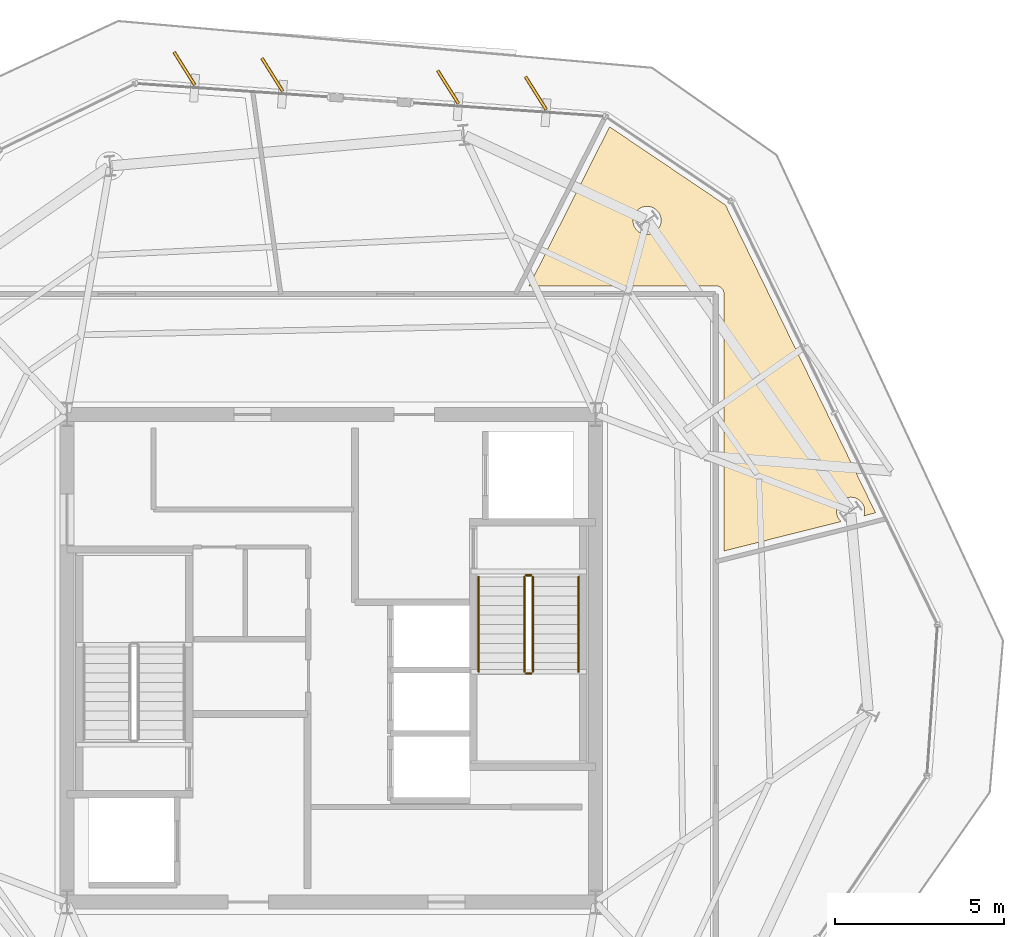
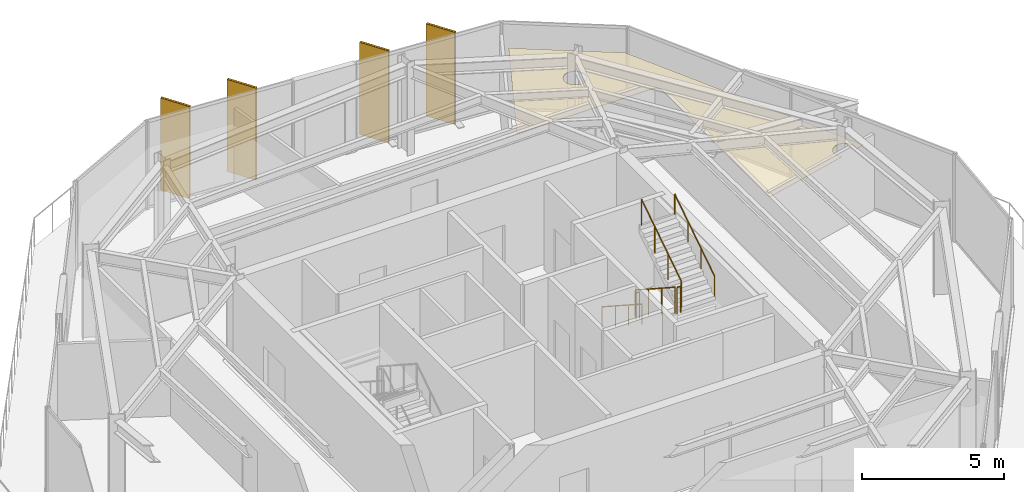
# One storey, part 12 of 12: 6 railings, 5 coverings, 4 shading devices.
"""IFC4 building model written with IfcOpenShell, lengths in metres."""

from ifc_helpers import new_model, si_unit, direction, frame, origin, origin_2d, place, context, subcontext, project, spatial, polyline, rectangle, circle, outline, extrude, material, layer, layer_set, type_object, element, save


model = new_model("IFC4")

# Units and contexts
model_context = context("Model", 3, precision=1e-05, world=origin(), true_north=direction((0.0, 1.0)))
body_context = subcontext(model_context, "Body", "Model", "MODEL_VIEW")
ifc_project = project(units=[si_unit("LENGTHUNIT", "METRE"), si_unit("AREAUNIT", "SQUARE_METRE"), si_unit("VOLUMEUNIT", "CUBIC_METRE"), si_unit("PLANEANGLEUNIT", "RADIAN"), si_unit("MASSUNIT", "GRAM", prefix="KILO")], contexts=[model_context])

# Site, building, storey
site_placement = place(None, origin())
site = spatial("IfcSite", under=ifc_project, at=site_placement, CompositionType="ELEMENT")
building_placement = place(site_placement, origin())
building = spatial("IfcBuilding", under=site, at=building_placement, Name="Kranzbogen Civic Tower", CompositionType="ELEMENT")
storey_placement = place(building_placement, frame((0.0, 0.0, 250.199951171875)))
storey = spatial("IfcBuildingStorey", under=building, at=storey_placement, Name="L60", CompositionType="ELEMENT", Elevation=250.199951171875)

# Coverings
ifc_material_1 = material(Name="Pale Anodised Aluminium", Category="aluminium")
ifc_layer_1 = layer(ifc_material_1, 0.02490234375, Name="Pale Anodised Aluminium")
ifc_layer_set_1 = layer_set([ifc_layer_1], Name="Pale Anodised Aluminium")
covering_type_1 = type_object("IfcCoveringType", Name="Anodised Aluminium Vertical Fin Cladding 25 mm", PredefinedType="CLADDING", material=ifc_layer_set_1)
for number, where, z_axis, x_axis, name in (
    (1, (31.0390625, 41.68408203125, -0.139892578125), (0.0, 0.0, 1.0), (-0.532344492073, 0.846527815113, 0.0), "L60 vertical fin pale-metal cladding F1-1"),
    (2, (28.446044921875, 41.864990234375, -0.139892578125), (0.0, 0.0, 1.0), (-0.532344492073, 0.846527815113, 0.0), "L60 vertical fin pale-metal cladding F1-2"),
    (3, (23.258056640625, 42.22802734375, -0.139892578125), (0.0, 0.0, 1.0), (-0.532344492073, 0.846527815113, 0.0), "L60 vertical fin pale-metal cladding F1-4"),
    (4, (20.6650390625, 42.408935546875, -0.139892578125), (0.0, 0.0, 1.0), (-0.532344492073, 0.846527815113, 0.0), "L60 vertical fin pale-metal cladding F1-5"),
):
    element("IfcCovering", number, at=place(storey_placement, frame(where, z_axis=z_axis, x_axis=x_axis)), inside=storey, type_object=covering_type_1, Name=name, PredefinedType="CLADDING", context=body_context, shape_type="SweptSolid", body=[
        extrude(rectangle(XDim=1.14990234375, YDim=0.094970703125, at=origin_2d()), origin(), (0.0, 0.0, 1.0), 3.9599609375),
    ])

# Railings
ifc_material_2 = material(Name="Steel S355", Category="steel")
railing_type_1 = type_object("IfcRailingType", Name="Internal Stair and Void Steel Guardrail 1150", PredefinedType="GUARDRAIL", material=ifc_material_2)
railing_1_placement = place(storey_placement, frame((30.699951171875, 27.39990234375, 0.181884765625)))
element("IfcRailing", 5, at=railing_1_placement, inside=storey, type_object=railing_type_1, Name="L60 ST-T2 stair guard 1", PredefinedType="GUARDRAIL", context=body_context, shape_type="SweptSolid", body=[
    extrude(circle(Radius=0.02392578125, at=origin_2d()), frame((0.0, 0.0, 1.1259765625), z_axis=(0.0, -0.83868413941, 0.544618136222), x_axis=(1.0, 0.0, 0.0)), (0.0, 0.0, 1.0), 3.33837890625),
    extrude(circle(Radius=0.02099609375, at=origin_2d()), origin(), (0.0, 0.0, 1.0), 1.101806640625),
    extrude(circle(Radius=0.02099609375, at=origin_2d()), frame((0.0, -0.933349609375, 0.60595703125)), (0.0, 0.0, 1.0), 1.101806640625),
    extrude(circle(Radius=0.02099609375, at=origin_2d()), frame((0.0, -1.866455078125, 1.212158203125)), (0.0, 0.0, 1.0), 1.101806640625),
    extrude(circle(Radius=0.02099609375, at=origin_2d()), frame((0.0, -2.7998046875, 1.818115234375)), (0.0, 0.0, 1.0), 1.101806640625),
])
railing_2_placement = place(storey_placement, frame((30.75, 24.550048828125, 2.0)))
element("IfcRailing", 6, at=railing_2_placement, inside=storey, type_object=railing_type_1, Name="L60 ST-T2 stair guard 2", PredefinedType="GUARDRAIL", context=body_context, shape_type="SweptSolid", body=[
    extrude(circle(Radius=0.02392578125, at=origin_2d()), frame((0.0, 0.0, 1.1259765625), z_axis=(1.0, 0.0, 0.0), x_axis=(0.0, 1.0, 0.0)), (0.0, 0.0, 1.0), 0.14990234375),
    extrude(circle(Radius=0.02099609375, at=origin_2d()), origin(), (0.0, 0.0, 1.0), 1.101806640625),
    extrude(circle(Radius=0.02099609375, at=origin_2d()), frame((0.14990234375, 0.0, 0.0)), (0.0, 0.0, 1.0), 1.101806640625),
])
railing_3_placement = place(storey_placement, frame((30.949951171875, 24.60009765625, 2.181884765625)))
element("IfcRailing", 7, at=railing_3_placement, inside=storey, type_object=railing_type_1, Name="L60 ST-T2 stair guard 3", PredefinedType="GUARDRAIL", context=body_context, shape_type="SweptSolid", body=[
    extrude(circle(Radius=0.02392578125, at=origin_2d()), frame((0.0, 0.0, 1.1259765625), z_axis=(0.0, 0.83868413941, 0.544618136222), x_axis=(-1.0, 0.0, 0.0)), (0.0, 0.0, 1.0), 3.33837890625),
    extrude(circle(Radius=0.02099609375, at=origin_2d()), origin(), (0.0, 0.0, 1.0), 1.101806640625),
    extrude(circle(Radius=0.02099609375, at=origin_2d()), frame((0.0, 0.933349609375, 0.60595703125)), (0.0, 0.0, 1.0), 1.101806640625),
    extrude(circle(Radius=0.02099609375, at=origin_2d()), frame((0.0, 1.866455078125, 1.212158203125)), (0.0, 0.0, 1.0), 1.101806640625),
    extrude(circle(Radius=0.02099609375, at=origin_2d()), frame((0.0, 2.7998046875, 1.818115234375)), (0.0, 0.0, 1.0), 1.101806640625),
])
railing_4_placement = place(storey_placement, frame((30.75, 27.449951171875, 0.0)))
element("IfcRailing", 8, at=railing_4_placement, inside=storey, type_object=railing_type_1, Name="L60 ST-T2 stair guard 4", PredefinedType="GUARDRAIL", context=body_context, shape_type="SweptSolid", body=[
    extrude(circle(Radius=0.02392578125, at=origin_2d()), frame((0.0, 0.0, 1.1259765625), z_axis=(1.0, 0.0, 0.0), x_axis=(0.0, 1.0, 0.0)), (0.0, 0.0, 1.0), 0.14990234375),
    extrude(circle(Radius=0.02099609375, at=origin_2d()), origin(), (0.0, 0.0, 1.0), 1.101806640625),
    extrude(circle(Radius=0.02099609375, at=origin_2d()), frame((0.14990234375, 0.0, 0.0)), (0.0, 0.0, 1.0), 1.101806640625),
])

# Shading devices
shading_device_type = type_object("IfcShadingDeviceType", Name="Pale Anodised Aluminium Crown Fin 1150x75", PredefinedType="USERDEFINED", material=ifc_material_1)
for number, where, z_axis, x_axis, name in (
    (9, (31.0390625, 41.68408203125, -0.139892578125), (0.0, 0.0, 1.0), (-0.532344492073, 0.846527815113, 0.0), "L60 vertical exterior shading fin F1-1"),
    (10, (28.446044921875, 41.864990234375, -0.139892578125), (0.0, 0.0, 1.0), (-0.532344492073, 0.846527815113, 0.0), "L60 vertical exterior shading fin F1-2"),
    (11, (23.258056640625, 42.22802734375, -0.139892578125), (0.0, 0.0, 1.0), (-0.532344492073, 0.846527815113, 0.0), "L60 vertical exterior shading fin F1-4"),
    (12, (20.6650390625, 42.408935546875, -0.139892578125), (0.0, 0.0, 1.0), (-0.532344492073, 0.846527815113, 0.0), "L60 vertical exterior shading fin F1-5"),
):
    element("IfcShadingDevice", number, at=place(storey_placement, frame(where, z_axis=z_axis, x_axis=x_axis)), inside=storey, type_object=shading_device_type, Name=name, ObjectType="FIN", PredefinedType="USERDEFINED", context=body_context, shape_type="SweptSolid", body=[
        extrude(rectangle(XDim=1.14990234375, YDim=0.074951171875, at=origin_2d()), origin(), (0.0, 0.0, 1.0), 3.9599609375),
    ])

# Covering
ifc_material_3 = material(Name="Perforated Acoustic Gypsum Ceiling")
ifc_layer_2 = layer(ifc_material_3, 0.02490234375, Name="Perforated Acoustic Gypsum Ceiling")
ifc_layer_set_2 = layer_set([ifc_layer_2], Name="Perforated Acoustic Gypsum Ceiling")
covering_type_2 = type_object("IfcCoveringType", Name="Perforated Acoustic Mineral Ceiling Tile 25 mm", PredefinedType="CEILING", material=ifc_layer_set_2)
covering_placement = place(storey_placement, frame((0.0, 0.0, 2.75)))
element("IfcCovering", 13, at=covering_placement, inside=storey, type_object=covering_type_2, Name="L60 Citizen Services Kiosk acoustic ceiling", PredefinedType="CEILING", context=body_context, shape_type="SweptSolid", body=[
    extrude(outline(polyline([(40.72607421875, 29.2041015625), (40.73193359375, 29.218017578125), (40.740966796875, 29.258056640625), (40.7470703125, 29.298095703125), (40.7490234375, 29.339111328125), (40.7470703125, 29.3798828125), (40.740966796875, 29.419921875), (40.73193359375, 29.4599609375), (40.718017578125, 29.498046875), (40.699951171875, 29.534912109375), (40.678955078125, 29.570068359375), (40.655029296875, 29.60302734375), (40.6279296875, 29.633056640625), (40.597900390625, 29.659912109375), (40.56494140625, 29.68408203125), (40.530029296875, 29.705078125), (40.492919921875, 29.722900390625), (40.455078125, 29.737060546875), (40.4150390625, 29.74609375), (40.375, 29.751953125), (40.333984375, 29.75390625), (40.29296875, 29.751953125), (40.2529296875, 29.74609375), (40.212890625, 29.737060546875), (40.175048828125, 29.722900390625), (40.137939453125, 29.705078125), (40.10302734375, 29.68408203125), (40.070068359375, 29.659912109375), (40.0400390625, 29.633056640625), (40.012939453125, 29.60302734375), (39.989013671875, 29.570068359375), (39.968017578125, 29.534912109375), (39.949951171875, 29.498046875), (39.93603515625, 29.4599609375), (39.927001953125, 29.419921875), (39.9208984375, 29.3798828125), (39.9189453125, 29.339111328125), (39.9208984375, 29.298095703125), (39.927001953125, 29.258056640625), (39.93603515625, 29.218017578125), (39.949951171875, 29.179931640625), (39.968017578125, 29.14306640625), (39.989013671875, 29.10791015625), (40.012939453125, 29.074951171875), (40.0400390625, 29.044921875), (40.052001953125, 29.034912109375), (36.594970703125, 28.166015625), (36.594970703125, 35.75), (36.594970703125, 35.759033203125), (36.593994140625, 35.764892578125), (36.593017578125, 35.782958984375), (36.592041015625, 35.7890625), (36.587890625, 35.805908203125), (36.5869140625, 35.81298828125), (36.58203125, 35.830078125), (36.580078125, 35.8359375), (36.572998046875, 35.85205078125), (36.570068359375, 35.85791015625), (36.56201171875, 35.873046875), (36.55810546875, 35.87890625), (36.549072265625, 35.89306640625), (36.544921875, 35.89794921875), (36.533935546875, 35.912109375), (36.529052734375, 35.9169921875), (36.51708984375, 35.928955078125), (36.511962890625, 35.93408203125), (36.498046875, 35.945068359375), (36.492919921875, 35.948974609375), (36.47900390625, 35.9580078125), (36.472900390625, 35.9619140625), (36.4580078125, 35.969970703125), (36.451904296875, 35.972900390625), (36.43603515625, 35.97998046875), (36.429931640625, 35.98193359375), (36.4130859375, 35.987060546875), (36.406005859375, 35.988037109375), (36.388916015625, 35.991943359375), (36.383056640625, 35.992919921875), (36.364990234375, 35.993896484375), (36.35888671875, 35.9951171875), (36.35009765625, 35.9951171875), (30.840087890625, 35.9951171875), (33.216064453125, 40.68994140625), (36.635986328125, 38.383056640625), (41.071044921875, 29.291015625), (40.72607421875, 29.2041015625)]), holes=[polyline([(34.7060546875, 37.76708984375), (34.68798828125, 37.72998046875), (34.6669921875, 37.695068359375), (34.64306640625, 37.662109375), (34.615966796875, 37.632080078125), (34.5859375, 37.60498046875), (34.552978515625, 37.5810546875), (34.51806640625, 37.56005859375), (34.48095703125, 37.5419921875), (34.443115234375, 37.528076171875), (34.403076171875, 37.51904296875), (34.363037109375, 37.512939453125), (34.322021484375, 37.510986328125), (34.281005859375, 37.512939453125), (34.240966796875, 37.51904296875), (34.200927734375, 37.528076171875), (34.1630859375, 37.5419921875), (34.1259765625, 37.56005859375), (34.091064453125, 37.5810546875), (34.05810546875, 37.60498046875), (34.028076171875, 37.632080078125), (34.0009765625, 37.662109375), (33.97705078125, 37.695068359375), (33.9560546875, 37.72998046875), (33.93798828125, 37.76708984375), (33.924072265625, 37.804931640625), (33.9150390625, 37.844970703125), (33.908935546875, 37.885009765625), (33.906982421875, 37.926025390625), (33.908935546875, 37.967041015625), (33.9150390625, 38.007080078125), (33.924072265625, 38.047119140625), (33.93798828125, 38.0849609375), (33.9560546875, 38.1220703125), (33.97705078125, 38.156982421875), (34.0009765625, 38.18994140625), (34.028076171875, 38.219970703125), (34.05810546875, 38.2470703125), (34.091064453125, 38.27099609375), (34.1259765625, 38.2919921875), (34.1630859375, 38.31005859375), (34.200927734375, 38.323974609375), (34.240966796875, 38.3330078125), (34.281005859375, 38.339111328125), (34.322021484375, 38.341064453125), (34.363037109375, 38.339111328125), (34.403076171875, 38.3330078125), (34.443115234375, 38.323974609375), (34.48095703125, 38.31005859375), (34.51806640625, 38.2919921875), (34.552978515625, 38.27099609375), (34.5859375, 38.2470703125), (34.615966796875, 38.219970703125), (34.64306640625, 38.18994140625), (34.6669921875, 38.156982421875), (34.68798828125, 38.1220703125), (34.7060546875, 38.0849609375), (34.719970703125, 38.047119140625), (34.72900390625, 38.007080078125), (34.735107421875, 37.967041015625), (34.737060546875, 37.926025390625), (34.735107421875, 37.885009765625), (34.72900390625, 37.844970703125), (34.719970703125, 37.804931640625), (34.7060546875, 37.76708984375)])]), origin(), (0.0, 0.0, 1.0), 0.025146484375),
])

# Railings
railing_type_2 = type_object("IfcRailingType", Name="Tubular Stainless Stair Wall Handrail 900", PredefinedType="HANDRAIL", material=ifc_material_1)
railing_5_placement = place(storey_placement, frame((29.35009765625, 27.39990234375, 0.181884765625)))
element("IfcRailing", 14, at=railing_5_placement, inside=storey, type_object=railing_type_2, Name="L60 ST-T2 stair handrail 1", PredefinedType="HANDRAIL", context=body_context, shape_type="SweptSolid", body=[
    extrude(circle(Radius=0.02392578125, at=origin_2d()), frame((0.0, 0.0, 0.8759765625), z_axis=(0.0, -0.83868413941, 0.544618136222), x_axis=(1.0, 0.0, 0.0)), (0.0, 0.0, 1.0), 3.33837890625),
    extrude(circle(Radius=0.02099609375, at=origin_2d()), origin(), (0.0, 0.0, 1.0), 0.851806640625),
    extrude(circle(Radius=0.02099609375, at=origin_2d()), frame((0.0, -0.933349609375, 0.60595703125)), (0.0, 0.0, 1.0), 0.851806640625),
    extrude(circle(Radius=0.02099609375, at=origin_2d()), frame((0.0, -1.866455078125, 1.212158203125)), (0.0, 0.0, 1.0), 0.851806640625),
    extrude(circle(Radius=0.02099609375, at=origin_2d()), frame((0.0, -2.7998046875, 1.818115234375)), (0.0, 0.0, 1.0), 0.851806640625),
])
railing_6_placement = place(storey_placement, frame((32.300048828125, 24.60009765625, 2.181884765625)))
element("IfcRailing", 15, at=railing_6_placement, inside=storey, type_object=railing_type_2, Name="L60 ST-T2 stair handrail 2", PredefinedType="HANDRAIL", context=body_context, shape_type="SweptSolid", body=[
    extrude(circle(Radius=0.02392578125, at=origin_2d()), frame((0.0, 0.0, 0.8759765625), z_axis=(0.0, 0.83868413941, 0.544618136222), x_axis=(-1.0, 0.0, 0.0)), (0.0, 0.0, 1.0), 3.33837890625),
    extrude(circle(Radius=0.02099609375, at=origin_2d()), origin(), (0.0, 0.0, 1.0), 0.851806640625),
    extrude(circle(Radius=0.02099609375, at=origin_2d()), frame((0.0, 0.933349609375, 0.60595703125)), (0.0, 0.0, 1.0), 0.851806640625),
    extrude(circle(Radius=0.02099609375, at=origin_2d()), frame((0.0, 1.866455078125, 1.212158203125)), (0.0, 0.0, 1.0), 0.851806640625),
    extrude(circle(Radius=0.02099609375, at=origin_2d()), frame((0.0, 2.7998046875, 1.818115234375)), (0.0, 0.0, 1.0), 0.851806640625),
])

save(model, "model.ifc")
